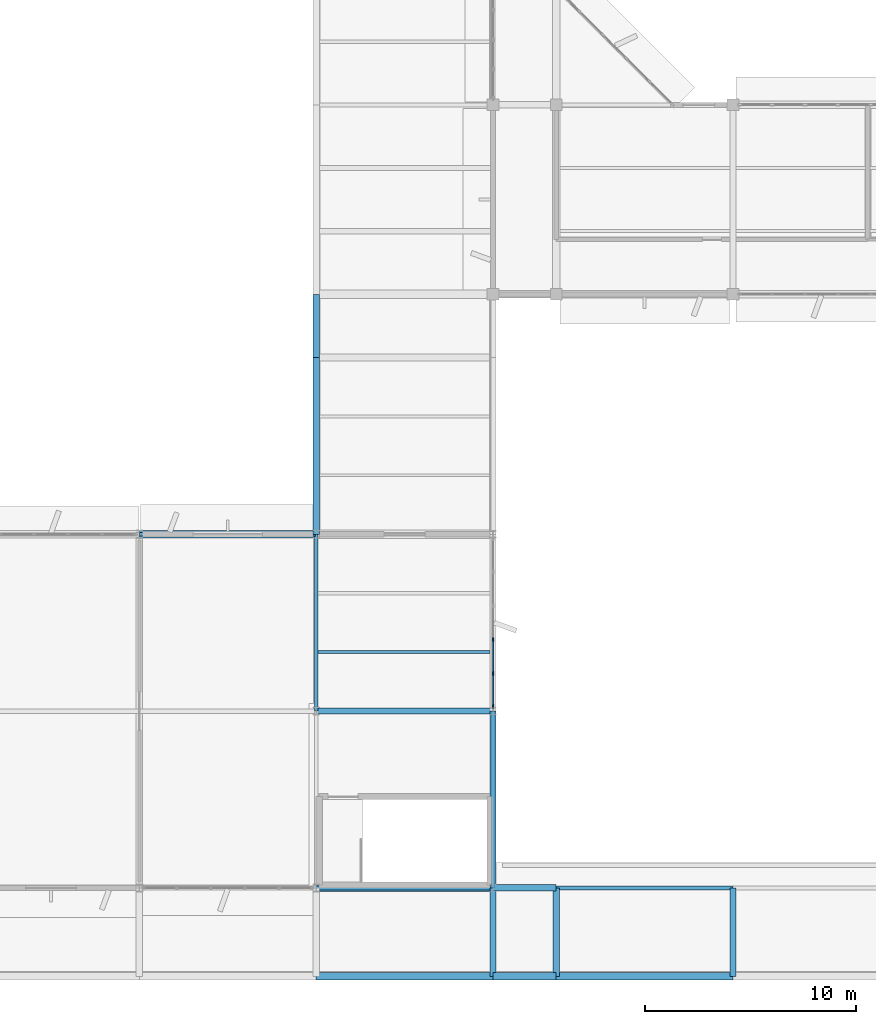
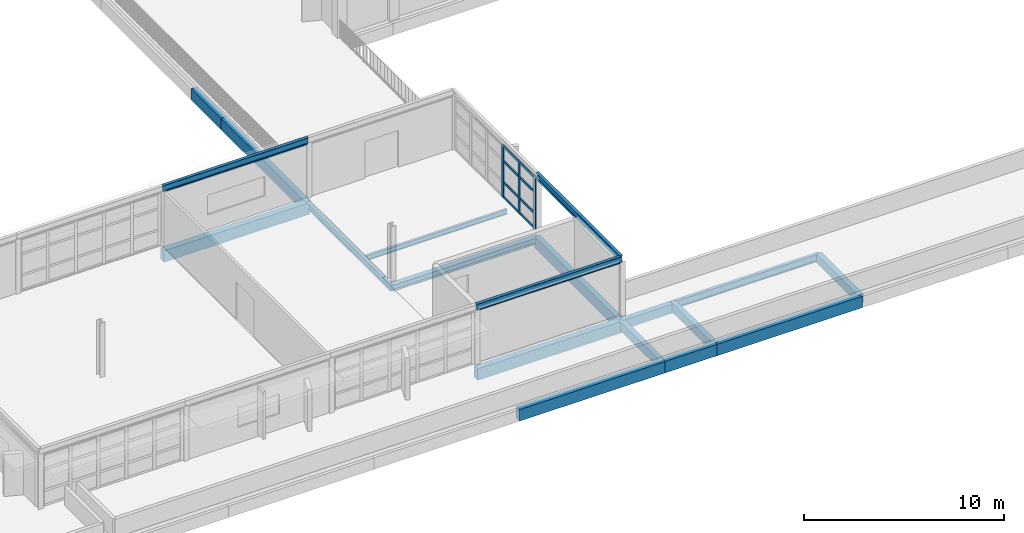
# One storey, part 7 of 92: 19 beams, 11 members, 1 element without a shape of its own.
"""IFC4 building model written with IfcOpenShell, lengths in metres."""

from ifc_helpers import new_model, si_unit, direction, frame, origin, origin_2d, place, context, subcontext, project, spatial, rectangle, i_section, extrude, material, material_profile, profile_set, type_object, element, aggregate, save


model = new_model("IFC4")

# Units and contexts
model_context = context("Model", 3, precision=1e-05, world=origin(), true_north=direction((0.0, 1.0)))
body_context = subcontext(model_context, "Body", "Model", "MODEL_VIEW")
ifc_project = project(units=[si_unit("LENGTHUNIT", "METRE"), si_unit("AREAUNIT", "SQUARE_METRE"), si_unit("VOLUMEUNIT", "CUBIC_METRE"), si_unit("PLANEANGLEUNIT", "RADIAN"), si_unit("MASSUNIT", "GRAM", prefix="KILO")], contexts=[model_context])

# Site, building, storey
site_placement = place(None, origin())
site = spatial("IfcSite", under=ifc_project, at=site_placement, CompositionType="ELEMENT")
building_placement = place(site_placement, origin())
building = spatial("IfcBuilding", under=site, at=building_placement, Name="Vanh Quang Courtyard School", CompositionType="ELEMENT")
storey_placement = place(building_placement, frame((0.0, 0.0, 7.800048828125)))
storey = spatial("IfcBuildingStorey", under=building, at=storey_placement, Name="L02", CompositionType="ELEMENT", Elevation=7.800048828125)

# Beams
ifc_material_1 = material(Name="Concrete C35/45", Category="concrete")
ifc_material_profile_1 = material_profile(ifc_material_1, rectangle(XDim=0.300048828125, YDim=0.550048828125, at=origin_2d()), Name="RC-BM 300x550")
ifc_profile_set_1 = profile_set([ifc_material_profile_1], Name="Concrete C35/45")
beam_type_1 = type_object("IfcBeamType", Name="BM-RC-300x550", PredefinedType="BEAM", material=ifc_profile_set_1)
beam_1_placement = place(storey_placement, frame((37.800048828125, 4.199951171875, -0.554931640625), z_axis=(1.0, 0.0, 0.0), x_axis=(0.0, 1.0, 0.0)))
element("IfcBeam", 1, at=beam_1_placement, inside=storey, type_object=beam_type_1, Name="Beam B-07 (L02)", PredefinedType="BEAM", context=body_context, shape_type="SweptSolid", body=[
    extrude(rectangle(XDim=0.300048828125, YDim=0.550048828125, at=origin_2d()), origin(), (0.0, 0.0, 1.0), 3.0),
])
for number, where, z_axis, x_axis, name in (
    (2, (37.800048828125, 0.0, -0.554931640625), (0.0, 1.0, 0.0), (-1.0, 0.0, 0.0), "Beam B-07 (L02)"),
    (3, (40.800048828125, 0.0, -0.4951171875), (0.0, 1.0, 0.0), (-1.0, 0.0, 0.0), "Beam B-07 (L02)"),
    (4, (49.199951171875, 0.0, -0.4951171875), (0.0, 1.0, 0.0), (-1.0, 0.0, 0.0), "Beam B-07 (L02)"),
):
    element("IfcBeam", number, at=place(storey_placement, frame(where, z_axis=z_axis, x_axis=x_axis)), inside=storey, type_object=beam_type_1, Name=name, PredefinedType="BEAM", context=body_context, shape_type="SweptSolid", body=[
        extrude(rectangle(XDim=0.300048828125, YDim=0.550048828125, at=origin_2d()), origin(), (0.0, 0.0, 1.0), 4.199951171875),
    ])
ifc_material_profile_2 = material_profile(ifc_material_1, rectangle(XDim=0.35009765625, YDim=0.699951171875, at=origin_2d()), Name="RC-BM 350x700")
ifc_profile_set_2 = profile_set([ifc_material_profile_2], Name="Concrete C35/45")
beam_type_2 = type_object("IfcBeamType", Name="BM-RC-350x700", PredefinedType="BEAM", material=ifc_profile_set_2)
beam_2_placement = place(storey_placement, frame((29.39990234375, 0.0, -0.570068359375), z_axis=(1.0, 0.0, 0.0), x_axis=(0.0, 1.0, 0.0)))
element("IfcBeam", 5, at=beam_2_placement, inside=storey, type_object=beam_type_2, Name="Beam B-04 (L02)", PredefinedType="BEAM", context=body_context, shape_type="SweptSolid", body=[
    extrude(rectangle(XDim=0.35009765625, YDim=0.699951171875, at=origin_2d()), origin(), (0.0, 0.0, 1.0), 8.400146484375),
])
beam_3_placement = place(storey_placement, frame((37.800048828125, 0.0, -0.570068359375), z_axis=(1.0, 0.0, 0.0), x_axis=(0.0, 1.0, 0.0)))
element("IfcBeam", 6, at=beam_3_placement, inside=storey, type_object=beam_type_2, Name="Beam B-04 (L02)", PredefinedType="BEAM", context=body_context, shape_type="SweptSolid", body=[
    extrude(rectangle(XDim=0.35009765625, YDim=0.699951171875, at=origin_2d()), origin(), (0.0, 0.0, 1.0), 3.0),
])
beam_4_placement = place(storey_placement, frame((40.800048828125, 0.0, -0.570068359375), z_axis=(1.0, 0.0, 0.0), x_axis=(0.0, 1.0, 0.0)))
element("IfcBeam", 7, at=beam_4_placement, inside=storey, type_object=beam_type_2, Name="Beam B-04 (L02)", PredefinedType="BEAM", context=body_context, shape_type="SweptSolid", body=[
    extrude(rectangle(XDim=0.35009765625, YDim=0.699951171875, at=origin_2d()), origin(), (0.0, 0.0, 1.0), 8.39990234375),
])
beam_5_placement = place(storey_placement, frame((29.39990234375, 4.199951171875, -0.630126953125), z_axis=(1.0, 0.0, 0.0), x_axis=(0.0, 1.0, 0.0)))
element("IfcBeam", 8, at=beam_5_placement, inside=storey, type_object=beam_type_2, Name="Beam B-04 (L02)", PredefinedType="BEAM", context=body_context, shape_type="SweptSolid", body=[
    extrude(rectangle(XDim=0.35009765625, YDim=0.699951171875, at=origin_2d()), origin(), (0.0, 0.0, 1.0), 8.400146484375),
])
beam_6_placement = place(storey_placement, frame((21.0, 21.0, -0.670166015625), z_axis=(1.0, 0.0, 0.0), x_axis=(0.0, 1.0, 0.0)))
element("IfcBeam", 9, at=beam_6_placement, inside=storey, type_object=beam_type_2, Name="Beam B-04 (L02)", PredefinedType="BEAM", context=body_context, shape_type="SweptSolid", body=[
    extrude(rectangle(XDim=0.35009765625, YDim=0.699951171875, at=origin_2d()), origin(), (0.0, 0.0, 1.0), 8.39990234375),
])
ifc_material_profile_3 = material_profile(ifc_material_1, rectangle(XDim=0.300048828125, YDim=0.699951171875, at=origin_2d()), Name="RC-SP 300x700")
ifc_profile_set_3 = profile_set([ifc_material_profile_3], Name="Concrete C35/45")
beam_type_3 = type_object("IfcBeamType", Name="BM-SP-300x700", PredefinedType="SPANDREL", material=ifc_profile_set_3)
beam_7_placement = place(storey_placement, frame((29.39990234375, 21.0, -0.670166015625), z_axis=(0.0, 1.0, 0.0), x_axis=(-1.0, 0.0, 0.0)))
element("IfcBeam", 10, at=beam_7_placement, inside=storey, type_object=beam_type_3, Name="Beam BS-01 (L02)", PredefinedType="SPANDREL", context=body_context, shape_type="SweptSolid", body=[
    extrude(rectangle(XDim=0.300048828125, YDim=0.699951171875, at=origin_2d()), origin(), (0.0, 0.0, 1.0), 8.39990234375),
])
beam_8_placement = place(storey_placement, frame((29.39990234375, 29.39990234375, -0.670166015625), z_axis=(0.0, 1.0, 0.0), x_axis=(-1.0, 0.0, 0.0)))
element("IfcBeam", 11, at=beam_8_placement, inside=storey, type_object=beam_type_3, Name="Beam BS-01 (L02)", PredefinedType="SPANDREL", context=body_context, shape_type="SweptSolid", body=[
    extrude(rectangle(XDim=0.300048828125, YDim=0.699951171875, at=origin_2d()), origin(), (0.0, 0.0, 1.0), 3.0),
])
beam_9_placement = place(storey_placement, frame((37.800048828125, 4.199951171875, -0.630126953125), z_axis=(0.0, 1.0, 0.0), x_axis=(-1.0, 0.0, 0.0)))
element("IfcBeam", 12, at=beam_9_placement, inside=storey, type_object=beam_type_3, Name="Beam BS-01 (L02)", PredefinedType="SPANDREL", context=body_context, shape_type="SweptSolid", body=[
    extrude(rectangle(XDim=0.300048828125, YDim=0.699951171875, at=origin_2d()), origin(), (0.0, 0.0, 1.0), 8.400146484375),
])
ifc_material_2 = material(Name="Structural steel EN 10025-2 S355J2", Category="steel")
ifc_material_profile_4 = material_profile(ifc_material_2, i_section(OverallWidth=0.300048828125, OverallDepth=0.389892578125, WebThickness=0.010986328125, FlangeThickness=0.01904296875, FilletRadius=0.027099609375, at=origin_2d()), Name="HEA 400")
ifc_profile_set_4 = profile_set([ifc_material_profile_4], Name="Structural steel EN 10025-2 S355J2")
beam_type_4 = type_object("IfcBeamType", Name="BM-STL-HEA400", PredefinedType="BEAM", material=ifc_profile_set_4)
beam_10_placement = place(storey_placement, frame((29.39990234375, 12.60009765625, -0.47509765625), z_axis=(1.0, 0.0, 0.0), x_axis=(0.0, 1.0, 0.0)))
element("IfcBeam", 13, at=beam_10_placement, inside=storey, type_object=beam_type_4, Name="Beam SB-08 (L02)", PredefinedType="BEAM", context=body_context, shape_type="SweptSolid", body=[
    extrude(i_section(OverallWidth=0.300048828125, OverallDepth=0.389892578125, WebThickness=0.010986328125, FlangeThickness=0.01904296875, FilletRadius=0.027099609375, at=origin_2d()), origin(), (0.0, 0.0, 1.0), 8.400146484375),
])
ifc_material_profile_5 = material_profile(ifc_material_2, i_section(OverallWidth=0.179931640625, OverallDepth=0.39990234375, WebThickness=0.008544921875, FlangeThickness=0.013427734375, FilletRadius=0.02099609375, at=origin_2d()), Name="IPE 400")
ifc_profile_set_5 = profile_set([ifc_material_profile_5], Name="Structural steel EN 10025-2 S355J2")
beam_type_5 = type_object("IfcBeamType", Name="BM-STL-IPE400", PredefinedType="BEAM", material=ifc_profile_set_5)
beam_11_placement = place(storey_placement, frame((29.39990234375, 12.60009765625, -0.52001953125), z_axis=(0.0, 1.0, 0.0), x_axis=(-1.0, 0.0, 0.0)))
element("IfcBeam", 14, at=beam_11_placement, inside=storey, type_object=beam_type_5, Name="Beam SB-05 (L02)", PredefinedType="BEAM", context=body_context, shape_type="SweptSolid", body=[
    extrude(i_section(OverallWidth=0.179931640625, OverallDepth=0.39990234375, WebThickness=0.008544921875, FlangeThickness=0.013427734375, FilletRadius=0.02099609375, at=origin_2d()), origin(), (0.0, 0.0, 1.0), 8.39990234375),
])
beam_12_placement = place(storey_placement, frame((29.39990234375, 4.199951171875, 3.39990234375), z_axis=(1.0, 0.0, 0.0), x_axis=(0.0, 1.0, 0.0)))
element("IfcBeam", 15, at=beam_12_placement, inside=storey, type_object=beam_type_5, Name="Beam SB-05 (L02)", PredefinedType="BEAM", context=body_context, shape_type="SweptSolid", body=[
    extrude(i_section(OverallWidth=0.179931640625, OverallDepth=0.39990234375, WebThickness=0.008544921875, FlangeThickness=0.013427734375, FilletRadius=0.02099609375, at=origin_2d()), origin(), (0.0, 0.0, 1.0), 8.400146484375),
])
beam_13_placement = place(storey_placement, frame((21.0, 21.0, 3.39990234375), z_axis=(1.0, 0.0, 0.0), x_axis=(0.0, 1.0, 0.0)))
element("IfcBeam", 16, at=beam_13_placement, inside=storey, type_object=beam_type_5, Name="Beam SB-05 (L02)", PredefinedType="BEAM", context=body_context, shape_type="SweptSolid", body=[
    extrude(i_section(OverallWidth=0.179931640625, OverallDepth=0.39990234375, WebThickness=0.008544921875, FlangeThickness=0.013427734375, FilletRadius=0.02099609375, at=origin_2d()), origin(), (0.0, 0.0, 1.0), 8.39990234375),
])
beam_14_placement = place(storey_placement, frame((37.800048828125, 4.199951171875, 3.39990234375), z_axis=(0.0, 1.0, 0.0), x_axis=(-1.0, 0.0, 0.0)))
element("IfcBeam", 17, at=beam_14_placement, inside=storey, type_object=beam_type_5, Name="Beam SB-05 (L02)", PredefinedType="BEAM", context=body_context, shape_type="SweptSolid", body=[
    extrude(i_section(OverallWidth=0.179931640625, OverallDepth=0.39990234375, WebThickness=0.008544921875, FlangeThickness=0.013427734375, FilletRadius=0.02099609375, at=origin_2d()), origin(), (0.0, 0.0, 1.0), 8.400146484375),
])
ifc_material_profile_6 = material_profile(ifc_material_2, i_section(OverallWidth=0.18994140625, OverallDepth=0.449951171875, WebThickness=0.009521484375, FlangeThickness=0.0146484375, FilletRadius=0.02099609375, at=origin_2d()), Name="IPE 450")
ifc_profile_set_6 = profile_set([ifc_material_profile_6], Name="Structural steel EN 10025-2 S355J2")
beam_type_6 = type_object("IfcBeamType", Name="BM-STL-IPE450", PredefinedType="BEAM", material=ifc_profile_set_6)
beam_15_placement = place(storey_placement, frame((40.800048828125, 4.199951171875, -0.445068359375), z_axis=(1.0, 0.0, 0.0), x_axis=(0.0, 1.0, 0.0)))
element("IfcBeam", 18, at=beam_15_placement, inside=storey, type_object=beam_type_6, Name="Beam SB-04 (L02)", PredefinedType="BEAM", context=body_context, shape_type="SweptSolid", body=[
    extrude(i_section(OverallWidth=0.18994140625, OverallDepth=0.449951171875, WebThickness=0.009521484375, FlangeThickness=0.0146484375, FilletRadius=0.02099609375, at=origin_2d()), origin(), (0.0, 0.0, 1.0), 8.39990234375),
])

# Curtain wall, members
ifc_material_3 = material(Name="Thermally broken aluminium unitised curtain wall", Category="aluminium")
curtain_wall_type = type_object("IfcCurtainWallType", Name="CW-SYS-46", PredefinedType="NOTDEFINED", material=ifc_material_3)
curtain_wall_placement = place(storey_placement, origin())
curtain_wall = element("IfcCurtainWall", 19, at=curtain_wall_placement, inside=storey, type_object=curtain_wall_type, Name="Curtain Wall CW-46 (L02)", PredefinedType="NOTDEFINED")
ifc_material_4 = material(Name="Anodised aluminium 6063-T6", Category="aluminium")
ifc_material_profile_7 = material_profile(ifc_material_4, rectangle(XDim=0.080078125, YDim=0.199951171875, at=origin_2d()), Name="ALU-MUL 80x200")
ifc_profile_set_7 = profile_set([ifc_material_profile_7], Name="Anodised aluminium 6063-T6")
member_type_1 = type_object("IfcMemberType", Name="CW-MUL-80x200", PredefinedType="MULLION", material=ifc_profile_set_7)
member_1_placement = place(storey_placement, frame((37.800048828125, 15.99462890625, 0.0), z_axis=(0.0, 0.0, 1.0), x_axis=(1.0, 0.0, 0.0)))
member_1 = element("IfcMember", 20, at=member_1_placement, type_object=member_type_1, Name="CW-46 mullion 4", PredefinedType="MULLION", context=body_context, shape_type="SweptSolid", body=[
    extrude(rectangle(XDim=0.080078125, YDim=0.199951171875, at=origin_2d()), origin(), (0.0, 0.0, 1.0), 3.199951171875),
])
member_2_placement = place(storey_placement, frame((37.800048828125, 14.3837890625, 0.0), z_axis=(0.0, 0.0, 1.0), x_axis=(1.0, 0.0, 0.0)))
member_2 = element("IfcMember", 21, at=member_2_placement, type_object=member_type_1, Name="CW-46 mullion 5", PredefinedType="MULLION", context=body_context, shape_type="SweptSolid", body=[
    extrude(rectangle(XDim=0.080078125, YDim=0.199951171875, at=origin_2d()), origin(), (0.0, 0.0, 1.0), 3.199951171875),
])
member_3_placement = place(storey_placement, frame((37.800048828125, 12.81298828125, 0.0), z_axis=(0.0, 0.0, 1.0), x_axis=(1.0, 0.0, 0.0)))
member_3 = element("IfcMember", 22, at=member_3_placement, type_object=member_type_1, Name="CW-46 mullion 6", PredefinedType="MULLION", context=body_context, shape_type="SweptSolid", body=[
    extrude(rectangle(XDim=0.080078125, YDim=0.199951171875, at=origin_2d()), origin(), (0.0, 0.0, 1.0), 3.199951171875),
])
ifc_material_profile_8 = material_profile(ifc_material_4, rectangle(XDim=0.080078125, YDim=0.14990234375, at=origin_2d()), Name="ALU-TRN 80x150")
ifc_profile_set_8 = profile_set([ifc_material_profile_8], Name="Anodised aluminium 6063-T6")
member_type_2 = type_object("IfcMemberType", Name="CW-TRN-80x150", PredefinedType="USERDEFINED", material=ifc_profile_set_8)
member_4_placement = place(storey_placement, frame((37.800048828125, 15.95458984375, 0.0400390625), z_axis=(0.0, -1.0, 0.0), x_axis=(1.0, 0.0, 0.0)))
member_4 = element("IfcMember", 23, at=member_4_placement, type_object=member_type_2, Name="CW-46 transom 4.1", ObjectType="TRANSOM", PredefinedType="USERDEFINED", context=body_context, shape_type="SweptSolid", body=[
    extrude(rectangle(XDim=0.080078125, YDim=0.14990234375, at=origin_2d()), origin(), (0.0, 0.0, 1.0), 1.53076171875),
])
member_5_placement = place(storey_placement, frame((37.800048828125, 15.95458984375, 0.949951171875), z_axis=(0.0, -1.0, 0.0), x_axis=(1.0, 0.0, 0.0)))
member_5 = element("IfcMember", 24, at=member_5_placement, type_object=member_type_2, Name="CW-46 transom 4.2", ObjectType="TRANSOM", PredefinedType="USERDEFINED", context=body_context, shape_type="SweptSolid", body=[
    extrude(rectangle(XDim=0.080078125, YDim=0.14990234375, at=origin_2d()), origin(), (0.0, 0.0, 1.0), 1.53076171875),
])
member_6_placement = place(storey_placement, frame((37.800048828125, 15.95458984375, 2.25), z_axis=(0.0, -1.0, 0.0), x_axis=(1.0, 0.0, 0.0)))
member_6 = element("IfcMember", 25, at=member_6_placement, type_object=member_type_2, Name="CW-46 transom 4.3", ObjectType="TRANSOM", PredefinedType="USERDEFINED", context=body_context, shape_type="SweptSolid", body=[
    extrude(rectangle(XDim=0.080078125, YDim=0.14990234375, at=origin_2d()), origin(), (0.0, 0.0, 1.0), 1.53076171875),
])
member_7_placement = place(storey_placement, frame((37.800048828125, 15.95458984375, 3.159912109375), z_axis=(0.0, -1.0, 0.0), x_axis=(1.0, 0.0, 0.0)))
member_7 = element("IfcMember", 26, at=member_7_placement, type_object=member_type_2, Name="CW-46 transom 4.4", ObjectType="TRANSOM", PredefinedType="USERDEFINED", context=body_context, shape_type="SweptSolid", body=[
    extrude(rectangle(XDim=0.080078125, YDim=0.14990234375, at=origin_2d()), origin(), (0.0, 0.0, 1.0), 1.53076171875),
])
member_8_placement = place(storey_placement, frame((37.800048828125, 14.34375, 0.0400390625), z_axis=(0.0, -1.0, 0.0), x_axis=(1.0, 0.0, 0.0)))
member_8 = element("IfcMember", 27, at=member_8_placement, type_object=member_type_2, Name="CW-46 transom 5.1", ObjectType="TRANSOM", PredefinedType="USERDEFINED", context=body_context, shape_type="SweptSolid", body=[
    extrude(rectangle(XDim=0.080078125, YDim=0.14990234375, at=origin_2d()), origin(), (0.0, 0.0, 1.0), 1.49072265625),
])
member_9_placement = place(storey_placement, frame((37.800048828125, 14.34375, 0.949951171875), z_axis=(0.0, -1.0, 0.0), x_axis=(1.0, 0.0, 0.0)))
member_9 = element("IfcMember", 28, at=member_9_placement, type_object=member_type_2, Name="CW-46 transom 5.2", ObjectType="TRANSOM", PredefinedType="USERDEFINED", context=body_context, shape_type="SweptSolid", body=[
    extrude(rectangle(XDim=0.080078125, YDim=0.14990234375, at=origin_2d()), origin(), (0.0, 0.0, 1.0), 1.49072265625),
])
member_10_placement = place(storey_placement, frame((37.800048828125, 14.34375, 2.25), z_axis=(0.0, -1.0, 0.0), x_axis=(1.0, 0.0, 0.0)))
member_10 = element("IfcMember", 29, at=member_10_placement, type_object=member_type_2, Name="CW-46 transom 5.3", ObjectType="TRANSOM", PredefinedType="USERDEFINED", context=body_context, shape_type="SweptSolid", body=[
    extrude(rectangle(XDim=0.080078125, YDim=0.14990234375, at=origin_2d()), origin(), (0.0, 0.0, 1.0), 1.49072265625),
])
member_11_placement = place(storey_placement, frame((37.800048828125, 14.34375, 3.159912109375), z_axis=(0.0, -1.0, 0.0), x_axis=(1.0, 0.0, 0.0)))
member_11 = element("IfcMember", 30, at=member_11_placement, type_object=member_type_2, Name="CW-46 transom 5.4", ObjectType="TRANSOM", PredefinedType="USERDEFINED", context=body_context, shape_type="SweptSolid", body=[
    extrude(rectangle(XDim=0.080078125, YDim=0.14990234375, at=origin_2d()), origin(), (0.0, 0.0, 1.0), 1.49072265625),
])
aggregate(curtain_wall, [member_1, member_2, member_3, member_4, member_5, member_6, member_7, member_8, member_9, member_10, member_11])

# Beam
ifc_material_profile_9 = material_profile(ifc_material_2, i_section(OverallWidth=0.14990234375, OverallDepth=0.300048828125, WebThickness=0.007080078125, FlangeThickness=0.0107421875, FilletRadius=0.014892578125, at=origin_2d()), Name="IPE 300")
ifc_profile_set_9 = profile_set([ifc_material_profile_9], Name="Structural steel EN 10025-2 S355J2")
beam_type_7 = type_object("IfcBeamType", Name="JST-STL-IPE300", PredefinedType="JOIST", material=ifc_profile_set_9)
beam_16_placement = place(storey_placement, frame((29.489990234375, 15.39990234375, -0.429931640625), z_axis=(1.0, 0.0, 0.0), x_axis=(0.0, 1.0, 0.0)))
element("IfcBeam", 31, at=beam_16_placement, inside=storey, type_object=beam_type_7, Name="Beam SJ-02 (L02)", PredefinedType="JOIST", context=body_context, shape_type="SweptSolid", body=[
    extrude(i_section(OverallWidth=0.14990234375, OverallDepth=0.300048828125, WebThickness=0.007080078125, FlangeThickness=0.0107421875, FilletRadius=0.014892578125, at=origin_2d()), origin(), (0.0, 0.0, 1.0), 8.159912109375),
])

save(model, "model.ifc")
